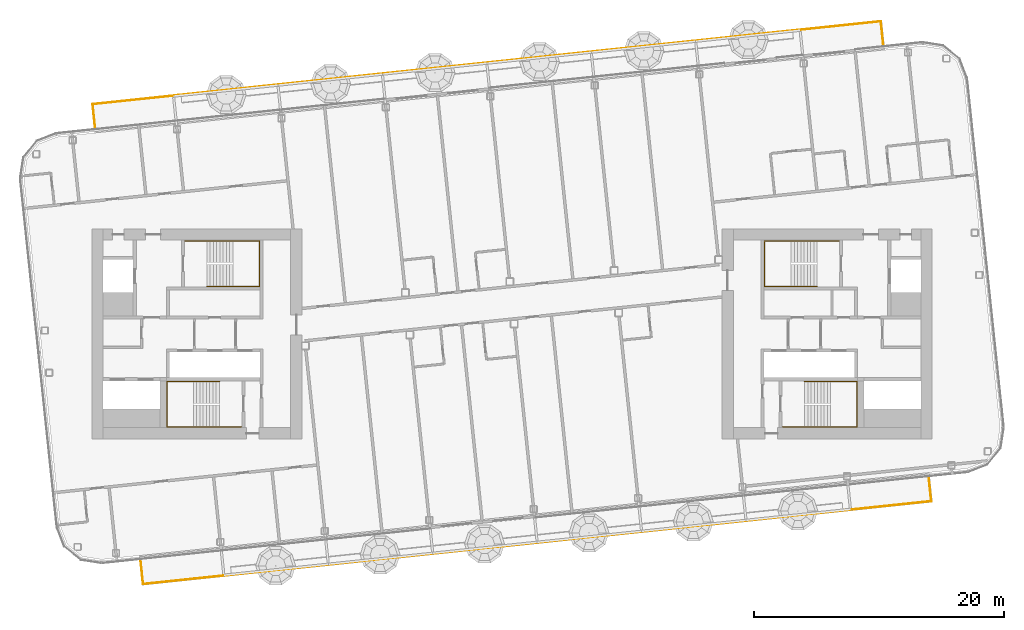
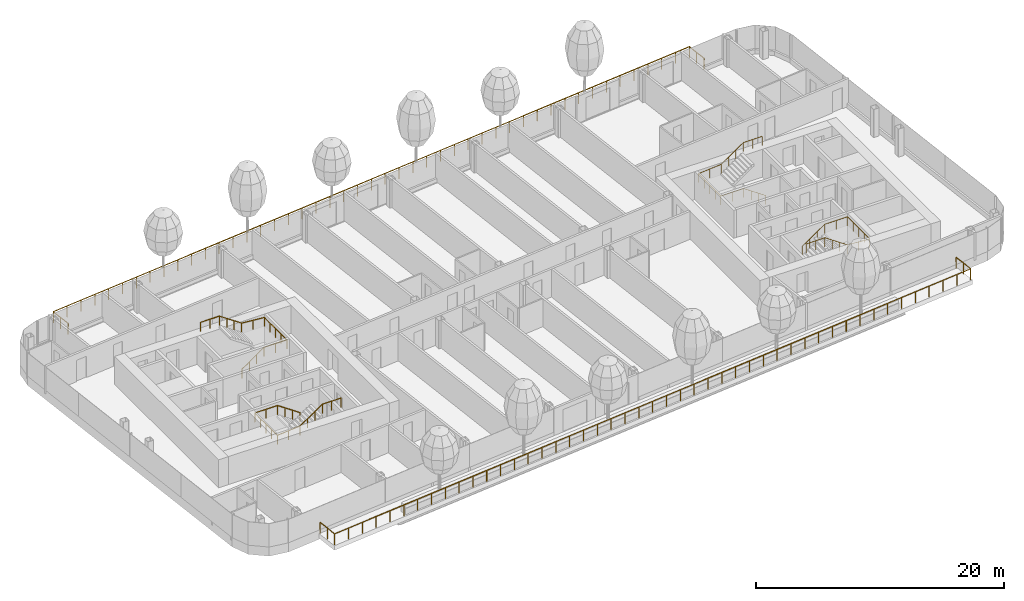
# One storey, part 25 of 29: 6 railings.
"""IFC4 building model written with IfcOpenShell, lengths in metres."""

from ifc_helpers import new_model, si_unit, direction, frame, origin, origin_2d, place, context, subcontext, project, spatial, circle, extrude, material, type_object, element, save


model = new_model("IFC4")

# Units and contexts
model_context = context("Model", 3, precision=1e-05, world=origin(), true_north=direction((0.0, 1.0)))
body_context = subcontext(model_context, "Body", "Model", "MODEL_VIEW")
ifc_project = project(units=[si_unit("LENGTHUNIT", "METRE"), si_unit("AREAUNIT", "SQUARE_METRE"), si_unit("VOLUMEUNIT", "CUBIC_METRE"), si_unit("PLANEANGLEUNIT", "RADIAN"), si_unit("MASSUNIT", "GRAM", prefix="KILO")], contexts=[model_context])

# Site, building, storey
site_placement = place(None, origin())
site = spatial("IfcSite", under=ifc_project, at=site_placement, CompositionType="ELEMENT")
building_placement = place(site_placement, origin())
building = spatial("IfcBuilding", under=site, at=building_placement, Name="Hakoniwa Tower and Hamabe Station Hall", CompositionType="ELEMENT")
storey_placement = place(building_placement, frame((0.0, 0.0, 258.199951171875)))
storey = spatial("IfcBuildingStorey", under=building, at=storey_placement, Name="L73", CompositionType="ELEMENT", Elevation=258.199951171875)

# Railings
ifc_material_1 = material(Name="Stainless steel and laminated glass", Category="steel")
railing_type_1 = type_object("IfcRailingType", Name="BALCONY BALUSTRADE 1100", PredefinedType="BALUSTRADE", material=ifc_material_1)
railing_1_placement = place(storey_placement, frame((-33.334716796875, 16.3916015625, 0.0)))
element("IfcRailing", 1, at=railing_1_placement, inside=storey, type_object=railing_type_1, Name="Balcony balustrade", PredefinedType="BALUSTRADE", context=body_context, shape_type="SweptSolid", body=[
    extrude(circle(Radius=0.02392578125, at=origin_2d()), frame((0.0, 0.0, 1.076171875), z_axis=(-0.104494148666, 0.99452550138, 0.0), x_axis=(-0.99452550138, -0.104494148666, 0.0)), (0.0, 0.0, 1.0), 2.0),
    extrude(circle(Radius=0.02392578125, at=origin_2d()), frame((-0.208984375, 1.989013671875, 1.076171875), z_axis=(0.994521751342, 0.104529833582, 0.0), x_axis=(-0.104529833582, 0.994521751342, 0.0)), (0.0, 0.0, 1.0), 63.400146484375),
    extrude(circle(Radius=0.02392578125, at=origin_2d()), frame((62.84375, 8.6162109375, 1.076171875), z_axis=(0.104494148666, -0.99452550138, 0.0), x_axis=(0.99452550138, 0.104494148666, 0.0)), (0.0, 0.0, 1.0), 2.0),
    extrude(circle(Radius=0.02099609375, at=origin_2d()), origin(), (0.0, 0.0, 1.0), 1.052001953125),
    extrude(circle(Radius=0.02099609375, at=origin_2d()), frame((-0.1044921875, 0.99462890625, 0.0)), (0.0, 0.0, 1.0), 1.052001953125),
    extrude(circle(Radius=0.02099609375, at=origin_2d()), frame((-0.208984375, 1.989013671875, 0.0)), (0.0, 0.0, 1.0), 1.052001953125),
    extrude(circle(Radius=0.02099609375, at=origin_2d()), frame((1.16162109375, 2.133056640625, 0.0)), (0.0, 0.0, 1.0), 1.052001953125),
    extrude(circle(Radius=0.02099609375, at=origin_2d()), frame((2.532470703125, 2.277099609375, 0.0)), (0.0, 0.0, 1.0), 1.052001953125),
    extrude(circle(Radius=0.02099609375, at=origin_2d()), frame((3.903076171875, 2.421142578125, 0.0)), (0.0, 0.0, 1.0), 1.052001953125),
    extrude(circle(Radius=0.02099609375, at=origin_2d()), frame((5.27392578125, 2.565185546875, 0.0)), (0.0, 0.0, 1.0), 1.052001953125),
    extrude(circle(Radius=0.02099609375, at=origin_2d()), frame((6.64453125, 2.70947265625, 0.0)), (0.0, 0.0, 1.0), 1.052001953125),
    extrude(circle(Radius=0.02099609375, at=origin_2d()), frame((8.015380859375, 2.853515625, 0.0)), (0.0, 0.0, 1.0), 1.052001953125),
    extrude(circle(Radius=0.02099609375, at=origin_2d()), frame((9.385986328125, 2.99755859375, 0.0)), (0.0, 0.0, 1.0), 1.052001953125),
    extrude(circle(Radius=0.02099609375, at=origin_2d()), frame((10.756591796875, 3.1416015625, 0.0)), (0.0, 0.0, 1.0), 1.052001953125),
    extrude(circle(Radius=0.02099609375, at=origin_2d()), frame((12.12744140625, 3.28564453125, 0.0)), (0.0, 0.0, 1.0), 1.052001953125),
    extrude(circle(Radius=0.02099609375, at=origin_2d()), frame((13.498046875, 3.4296875, 0.0)), (0.0, 0.0, 1.0), 1.052001953125),
    extrude(circle(Radius=0.02099609375, at=origin_2d()), frame((14.868896484375, 3.57373046875, 0.0)), (0.0, 0.0, 1.0), 1.052001953125),
    extrude(circle(Radius=0.02099609375, at=origin_2d()), frame((16.239501953125, 3.7177734375, 0.0)), (0.0, 0.0, 1.0), 1.052001953125),
    extrude(circle(Radius=0.02099609375, at=origin_2d()), frame((17.6103515625, 3.86181640625, 0.0)), (0.0, 0.0, 1.0), 1.052001953125),
    extrude(circle(Radius=0.02099609375, at=origin_2d()), frame((18.98095703125, 4.006103515625, 0.0)), (0.0, 0.0, 1.0), 1.052001953125),
    extrude(circle(Radius=0.02099609375, at=origin_2d()), frame((20.351806640625, 4.150146484375, 0.0)), (0.0, 0.0, 1.0), 1.052001953125),
    extrude(circle(Radius=0.02099609375, at=origin_2d()), frame((21.722412109375, 4.294189453125, 0.0)), (0.0, 0.0, 1.0), 1.052001953125),
    extrude(circle(Radius=0.02099609375, at=origin_2d()), frame((23.093017578125, 4.438232421875, 0.0)), (0.0, 0.0, 1.0), 1.052001953125),
    extrude(circle(Radius=0.02099609375, at=origin_2d()), frame((24.4638671875, 4.582275390625, 0.0)), (0.0, 0.0, 1.0), 1.052001953125),
    extrude(circle(Radius=0.02099609375, at=origin_2d()), frame((25.83447265625, 4.726318359375, 0.0)), (0.0, 0.0, 1.0), 1.052001953125),
    extrude(circle(Radius=0.02099609375, at=origin_2d()), frame((27.205322265625, 4.870361328125, 0.0)), (0.0, 0.0, 1.0), 1.052001953125),
    extrude(circle(Radius=0.02099609375, at=origin_2d()), frame((28.575927734375, 5.014404296875, 0.0)), (0.0, 0.0, 1.0), 1.052001953125),
    extrude(circle(Radius=0.02099609375, at=origin_2d()), frame((29.94677734375, 5.158447265625, 0.0)), (0.0, 0.0, 1.0), 1.052001953125),
    extrude(circle(Radius=0.02099609375, at=origin_2d()), frame((31.3173828125, 5.302734375, 0.0)), (0.0, 0.0, 1.0), 1.052001953125),
    extrude(circle(Radius=0.02099609375, at=origin_2d()), frame((32.68798828125, 5.44677734375, 0.0)), (0.0, 0.0, 1.0), 1.052001953125),
    extrude(circle(Radius=0.02099609375, at=origin_2d()), frame((34.058837890625, 5.5908203125, 0.0)), (0.0, 0.0, 1.0), 1.052001953125),
    extrude(circle(Radius=0.02099609375, at=origin_2d()), frame((35.429443359375, 5.73486328125, 0.0)), (0.0, 0.0, 1.0), 1.052001953125),
    extrude(circle(Radius=0.02099609375, at=origin_2d()), frame((36.80029296875, 5.87890625, 0.0)), (0.0, 0.0, 1.0), 1.052001953125),
    extrude(circle(Radius=0.02099609375, at=origin_2d()), frame((38.1708984375, 6.02294921875, 0.0)), (0.0, 0.0, 1.0), 1.052001953125),
    extrude(circle(Radius=0.02099609375, at=origin_2d()), frame((39.541748046875, 6.1669921875, 0.0)), (0.0, 0.0, 1.0), 1.052001953125),
    extrude(circle(Radius=0.02099609375, at=origin_2d()), frame((40.912353515625, 6.31103515625, 0.0)), (0.0, 0.0, 1.0), 1.052001953125),
    extrude(circle(Radius=0.02099609375, at=origin_2d()), frame((42.282958984375, 6.455078125, 0.0)), (0.0, 0.0, 1.0), 1.052001953125),
    extrude(circle(Radius=0.02099609375, at=origin_2d()), frame((43.65380859375, 6.59912109375, 0.0)), (0.0, 0.0, 1.0), 1.052001953125),
    extrude(circle(Radius=0.02099609375, at=origin_2d()), frame((45.0244140625, 6.743408203125, 0.0)), (0.0, 0.0, 1.0), 1.052001953125),
    extrude(circle(Radius=0.02099609375, at=origin_2d()), frame((46.395263671875, 6.887451171875, 0.0)), (0.0, 0.0, 1.0), 1.052001953125),
    extrude(circle(Radius=0.02099609375, at=origin_2d()), frame((47.765869140625, 7.031494140625, 0.0)), (0.0, 0.0, 1.0), 1.052001953125),
    extrude(circle(Radius=0.02099609375, at=origin_2d()), frame((49.13671875, 7.175537109375, 0.0)), (0.0, 0.0, 1.0), 1.052001953125),
    extrude(circle(Radius=0.02099609375, at=origin_2d()), frame((50.50732421875, 7.319580078125, 0.0)), (0.0, 0.0, 1.0), 1.052001953125),
    extrude(circle(Radius=0.02099609375, at=origin_2d()), frame((51.878173828125, 7.463623046875, 0.0)), (0.0, 0.0, 1.0), 1.052001953125),
    extrude(circle(Radius=0.02099609375, at=origin_2d()), frame((53.248779296875, 7.607666015625, 0.0)), (0.0, 0.0, 1.0), 1.052001953125),
    extrude(circle(Radius=0.02099609375, at=origin_2d()), frame((54.619384765625, 7.751708984375, 0.0)), (0.0, 0.0, 1.0), 1.052001953125),
    extrude(circle(Radius=0.02099609375, at=origin_2d()), frame((55.990234375, 7.895751953125, 0.0)), (0.0, 0.0, 1.0), 1.052001953125),
    extrude(circle(Radius=0.02099609375, at=origin_2d()), frame((57.36083984375, 8.0400390625, 0.0)), (0.0, 0.0, 1.0), 1.052001953125),
    extrude(circle(Radius=0.02099609375, at=origin_2d()), frame((58.731689453125, 8.18408203125, 0.0)), (0.0, 0.0, 1.0), 1.052001953125),
    extrude(circle(Radius=0.02099609375, at=origin_2d()), frame((60.102294921875, 8.328125, 0.0)), (0.0, 0.0, 1.0), 1.052001953125),
    extrude(circle(Radius=0.02099609375, at=origin_2d()), frame((61.47314453125, 8.47216796875, 0.0)), (0.0, 0.0, 1.0), 1.052001953125),
    extrude(circle(Radius=0.02099609375, at=origin_2d()), frame((62.84375, 8.6162109375, 0.0)), (0.0, 0.0, 1.0), 1.052001953125),
    extrude(circle(Radius=0.02099609375, at=origin_2d()), frame((62.9482421875, 7.62158203125, 0.0)), (0.0, 0.0, 1.0), 1.052001953125),
    extrude(circle(Radius=0.02099609375, at=origin_2d()), frame((63.052734375, 6.627197265625, 0.0)), (0.0, 0.0, 1.0), 1.052001953125),
])
railing_2_placement = place(storey_placement, frame((-29.718017578125, -18.018798828125, 0.0)))
element("IfcRailing", 2, at=railing_2_placement, inside=storey, type_object=railing_type_1, Name="Balcony balustrade", PredefinedType="BALUSTRADE", context=body_context, shape_type="SweptSolid", body=[
    extrude(circle(Radius=0.02392578125, at=origin_2d()), frame((0.0, 0.0, 1.076171875), z_axis=(0.104494148666, -0.99452550138, 0.0), x_axis=(0.99452550138, 0.104494148666, 0.0)), (0.0, 0.0, 1.0), 2.0),
    extrude(circle(Radius=0.02392578125, at=origin_2d()), frame((0.208984375, -1.989013671875, 1.076171875), z_axis=(0.994521751342, 0.104529833582, 0.0), x_axis=(-0.104529833582, 0.994521751342, 0.0)), (0.0, 0.0, 1.0), 63.400146484375),
    extrude(circle(Radius=0.02392578125, at=origin_2d()), frame((63.26171875, 4.63818359375, 1.076171875), z_axis=(-0.104494148666, 0.99452550138, 0.0), x_axis=(-0.99452550138, -0.104494148666, 0.0)), (0.0, 0.0, 1.0), 2.0),
    extrude(circle(Radius=0.02099609375, at=origin_2d()), origin(), (0.0, 0.0, 1.0), 1.052001953125),
    extrude(circle(Radius=0.02099609375, at=origin_2d()), frame((0.1044921875, -0.99462890625, 0.0)), (0.0, 0.0, 1.0), 1.052001953125),
    extrude(circle(Radius=0.02099609375, at=origin_2d()), frame((0.208984375, -1.989013671875, 0.0)), (0.0, 0.0, 1.0), 1.052001953125),
    extrude(circle(Radius=0.02099609375, at=origin_2d()), frame((1.57958984375, -1.844970703125, 0.0)), (0.0, 0.0, 1.0), 1.052001953125),
    extrude(circle(Radius=0.02099609375, at=origin_2d()), frame((2.950439453125, -1.700927734375, 0.0)), (0.0, 0.0, 1.0), 1.052001953125),
    extrude(circle(Radius=0.02099609375, at=origin_2d()), frame((4.321044921875, -1.556884765625, 0.0)), (0.0, 0.0, 1.0), 1.052001953125),
    extrude(circle(Radius=0.02099609375, at=origin_2d()), frame((5.69189453125, -1.412841796875, 0.0)), (0.0, 0.0, 1.0), 1.052001953125),
    extrude(circle(Radius=0.02099609375, at=origin_2d()), frame((7.0625, -1.2685546875, 0.0)), (0.0, 0.0, 1.0), 1.052001953125),
    extrude(circle(Radius=0.02099609375, at=origin_2d()), frame((8.433349609375, -1.12451171875, 0.0)), (0.0, 0.0, 1.0), 1.052001953125),
    extrude(circle(Radius=0.02099609375, at=origin_2d()), frame((9.803955078125, -0.98046875, 0.0)), (0.0, 0.0, 1.0), 1.052001953125),
    extrude(circle(Radius=0.02099609375, at=origin_2d()), frame((11.174560546875, -0.83642578125, 0.0)), (0.0, 0.0, 1.0), 1.052001953125),
    extrude(circle(Radius=0.02099609375, at=origin_2d()), frame((12.54541015625, -0.6923828125, 0.0)), (0.0, 0.0, 1.0), 1.052001953125),
    extrude(circle(Radius=0.02099609375, at=origin_2d()), frame((13.916015625, -0.54833984375, 0.0)), (0.0, 0.0, 1.0), 1.052001953125),
    extrude(circle(Radius=0.02099609375, at=origin_2d()), frame((15.286865234375, -0.404296875, 0.0)), (0.0, 0.0, 1.0), 1.052001953125),
    extrude(circle(Radius=0.02099609375, at=origin_2d()), frame((16.657470703125, -0.26025390625, 0.0)), (0.0, 0.0, 1.0), 1.052001953125),
    extrude(circle(Radius=0.02099609375, at=origin_2d()), frame((18.0283203125, -0.1162109375, 0.0)), (0.0, 0.0, 1.0), 1.052001953125),
    extrude(circle(Radius=0.02099609375, at=origin_2d()), frame((19.39892578125, 0.028076171875, 0.0)), (0.0, 0.0, 1.0), 1.052001953125),
    extrude(circle(Radius=0.02099609375, at=origin_2d()), frame((20.769775390625, 0.172119140625, 0.0)), (0.0, 0.0, 1.0), 1.052001953125),
    extrude(circle(Radius=0.02099609375, at=origin_2d()), frame((22.140380859375, 0.316162109375, 0.0)), (0.0, 0.0, 1.0), 1.052001953125),
    extrude(circle(Radius=0.02099609375, at=origin_2d()), frame((23.510986328125, 0.460205078125, 0.0)), (0.0, 0.0, 1.0), 1.052001953125),
    extrude(circle(Radius=0.02099609375, at=origin_2d()), frame((24.8818359375, 0.604248046875, 0.0)), (0.0, 0.0, 1.0), 1.052001953125),
    extrude(circle(Radius=0.02099609375, at=origin_2d()), frame((26.25244140625, 0.748291015625, 0.0)), (0.0, 0.0, 1.0), 1.052001953125),
    extrude(circle(Radius=0.02099609375, at=origin_2d()), frame((27.623291015625, 0.892333984375, 0.0)), (0.0, 0.0, 1.0), 1.052001953125),
    extrude(circle(Radius=0.02099609375, at=origin_2d()), frame((28.993896484375, 1.036376953125, 0.0)), (0.0, 0.0, 1.0), 1.052001953125),
    extrude(circle(Radius=0.02099609375, at=origin_2d()), frame((30.36474609375, 1.180419921875, 0.0)), (0.0, 0.0, 1.0), 1.052001953125),
    extrude(circle(Radius=0.02099609375, at=origin_2d()), frame((31.7353515625, 1.32470703125, 0.0)), (0.0, 0.0, 1.0), 1.052001953125),
    extrude(circle(Radius=0.02099609375, at=origin_2d()), frame((33.10595703125, 1.46875, 0.0)), (0.0, 0.0, 1.0), 1.052001953125),
    extrude(circle(Radius=0.02099609375, at=origin_2d()), frame((34.476806640625, 1.61279296875, 0.0)), (0.0, 0.0, 1.0), 1.052001953125),
    extrude(circle(Radius=0.02099609375, at=origin_2d()), frame((35.847412109375, 1.7568359375, 0.0)), (0.0, 0.0, 1.0), 1.052001953125),
    extrude(circle(Radius=0.02099609375, at=origin_2d()), frame((37.21826171875, 1.90087890625, 0.0)), (0.0, 0.0, 1.0), 1.052001953125),
    extrude(circle(Radius=0.02099609375, at=origin_2d()), frame((38.5888671875, 2.044921875, 0.0)), (0.0, 0.0, 1.0), 1.052001953125),
    extrude(circle(Radius=0.02099609375, at=origin_2d()), frame((39.959716796875, 2.18896484375, 0.0)), (0.0, 0.0, 1.0), 1.052001953125),
    extrude(circle(Radius=0.02099609375, at=origin_2d()), frame((41.330322265625, 2.3330078125, 0.0)), (0.0, 0.0, 1.0), 1.052001953125),
    extrude(circle(Radius=0.02099609375, at=origin_2d()), frame((42.700927734375, 2.47705078125, 0.0)), (0.0, 0.0, 1.0), 1.052001953125),
    extrude(circle(Radius=0.02099609375, at=origin_2d()), frame((44.07177734375, 2.62109375, 0.0)), (0.0, 0.0, 1.0), 1.052001953125),
    extrude(circle(Radius=0.02099609375, at=origin_2d()), frame((45.4423828125, 2.765380859375, 0.0)), (0.0, 0.0, 1.0), 1.052001953125),
    extrude(circle(Radius=0.02099609375, at=origin_2d()), frame((46.813232421875, 2.909423828125, 0.0)), (0.0, 0.0, 1.0), 1.052001953125),
    extrude(circle(Radius=0.02099609375, at=origin_2d()), frame((48.183837890625, 3.053466796875, 0.0)), (0.0, 0.0, 1.0), 1.052001953125),
    extrude(circle(Radius=0.02099609375, at=origin_2d()), frame((49.5546875, 3.197509765625, 0.0)), (0.0, 0.0, 1.0), 1.052001953125),
    extrude(circle(Radius=0.02099609375, at=origin_2d()), frame((50.92529296875, 3.341552734375, 0.0)), (0.0, 0.0, 1.0), 1.052001953125),
    extrude(circle(Radius=0.02099609375, at=origin_2d()), frame((52.296142578125, 3.485595703125, 0.0)), (0.0, 0.0, 1.0), 1.052001953125),
    extrude(circle(Radius=0.02099609375, at=origin_2d()), frame((53.666748046875, 3.629638671875, 0.0)), (0.0, 0.0, 1.0), 1.052001953125),
    extrude(circle(Radius=0.02099609375, at=origin_2d()), frame((55.037353515625, 3.773681640625, 0.0)), (0.0, 0.0, 1.0), 1.052001953125),
    extrude(circle(Radius=0.02099609375, at=origin_2d()), frame((56.408203125, 3.917724609375, 0.0)), (0.0, 0.0, 1.0), 1.052001953125),
    extrude(circle(Radius=0.02099609375, at=origin_2d()), frame((57.77880859375, 4.06201171875, 0.0)), (0.0, 0.0, 1.0), 1.052001953125),
    extrude(circle(Radius=0.02099609375, at=origin_2d()), frame((59.149658203125, 4.2060546875, 0.0)), (0.0, 0.0, 1.0), 1.052001953125),
    extrude(circle(Radius=0.02099609375, at=origin_2d()), frame((60.520263671875, 4.35009765625, 0.0)), (0.0, 0.0, 1.0), 1.052001953125),
    extrude(circle(Radius=0.02099609375, at=origin_2d()), frame((61.89111328125, 4.494140625, 0.0)), (0.0, 0.0, 1.0), 1.052001953125),
    extrude(circle(Radius=0.02099609375, at=origin_2d()), frame((63.26171875, 4.63818359375, 0.0)), (0.0, 0.0, 1.0), 1.052001953125),
    extrude(circle(Radius=0.02099609375, at=origin_2d()), frame((63.1572265625, 5.6328125, 0.0)), (0.0, 0.0, 1.0), 1.052001953125),
    extrude(circle(Radius=0.02099609375, at=origin_2d()), frame((63.052734375, 6.627197265625, 0.0)), (0.0, 0.0, 1.0), 1.052001953125),
])
ifc_material_2 = material(Name="Stainless steel SUS304", Category="steel")
railing_type_2 = type_object("IfcRailingType", Name="STAIR HANDRAIL 900", PredefinedType="HANDRAIL", material=ifc_material_2)
railing_3_placement = place(storey_placement, frame((-24.39990234375, 3.81005859375, 0.177734375)))
element("IfcRailing", 3, at=railing_3_placement, inside=storey, type_object=railing_type_2, Name="Handrail ST-1 L73 1", PredefinedType="HANDRAIL", context=body_context, shape_type="SweptSolid", body=[
    extrude(circle(Radius=0.02392578125, at=origin_2d()), frame((0.0, 0.0, 0.8759765625), z_axis=(0.825433201882, 0.0, 0.564499804456), x_axis=(0.0, 1.0, 0.0)), (0.0, 0.0, 1.0), 2.519775390625),
    extrude(circle(Radius=0.02392578125, at=origin_2d()), frame((2.079833984375, 0.0, 2.29833984375), z_axis=(1.0, 0.0, 0.0), x_axis=(0.0, 1.0, 0.0)), (0.0, 0.0, 1.0), 2.110107421875),
    extrude(circle(Radius=0.02392578125, at=origin_2d()), frame((4.18994140625, 0.0, 2.29833984375), z_axis=(0.0, 1.0, 0.0), x_axis=(-1.0, 0.0, 0.0)), (0.0, 0.0, 1.0), 3.6298828125),
    extrude(circle(Radius=0.02392578125, at=origin_2d()), frame((4.18994140625, 3.6298828125, 2.29833984375), z_axis=(-0.996471417081, 0.0, 0.083932800143), x_axis=(0.0, -1.0, 0.0)), (0.0, 0.0, 1.0), 2.11767578125),
    extrude(circle(Radius=0.02392578125, at=origin_2d()), frame((2.079833984375, 3.6298828125, 2.47607421875), z_axis=(-0.825478349766, 0.0, 0.564433781827), x_axis=(0.0, -1.0, 0.0)), (0.0, 0.0, 1.0), 2.51953125),
    extrude(circle(Radius=0.02392578125, at=origin_2d()), frame((0.0, 3.6298828125, 3.89794921875), z_axis=(-1.0, 0.0, 0.0), x_axis=(0.0, -1.0, 0.0)), (0.0, 0.0, 1.0), 1.739990234375),
    extrude(circle(Radius=0.02099609375, at=origin_2d()), origin(), (0.0, 0.0, 1.0), 0.851806640625),
    extrude(circle(Radius=0.02099609375, at=origin_2d()), frame((0.693359375, 0.0, 0.47412109375)), (0.0, 0.0, 1.0), 0.851806640625),
    extrude(circle(Radius=0.02099609375, at=origin_2d()), frame((1.386474609375, 0.0, 0.9482421875)), (0.0, 0.0, 1.0), 0.851806640625),
    extrude(circle(Radius=0.02099609375, at=origin_2d()), frame((2.079833984375, 0.0, 1.42236328125)), (0.0, 0.0, 1.0), 0.851806640625),
    extrude(circle(Radius=0.02099609375, at=origin_2d()), frame((3.134765625, 0.0, 1.42236328125)), (0.0, 0.0, 1.0), 0.851806640625),
    extrude(circle(Radius=0.02099609375, at=origin_2d()), frame((4.18994140625, 0.0, 1.42236328125)), (0.0, 0.0, 1.0), 0.851806640625),
    extrude(circle(Radius=0.02099609375, at=origin_2d()), frame((4.18994140625, 0.907470703125, 1.42236328125)), (0.0, 0.0, 1.0), 0.851806640625),
    extrude(circle(Radius=0.02099609375, at=origin_2d()), frame((4.18994140625, 1.81494140625, 1.42236328125)), (0.0, 0.0, 1.0), 0.851806640625),
    extrude(circle(Radius=0.02099609375, at=origin_2d()), frame((4.18994140625, 2.722412109375, 1.42236328125)), (0.0, 0.0, 1.0), 0.851806640625),
    extrude(circle(Radius=0.02099609375, at=origin_2d()), frame((4.18994140625, 3.6298828125, 1.42236328125)), (0.0, 0.0, 1.0), 0.851806640625),
    extrude(circle(Radius=0.02099609375, at=origin_2d()), frame((3.134765625, 3.6298828125, 1.51123046875)), (0.0, 0.0, 1.0), 0.851806640625),
    extrude(circle(Radius=0.02099609375, at=origin_2d()), frame((2.079833984375, 3.6298828125, 1.60009765625)), (0.0, 0.0, 1.0), 0.851806640625),
    extrude(circle(Radius=0.02099609375, at=origin_2d()), frame((1.386474609375, 3.6298828125, 2.07421875)), (0.0, 0.0, 1.0), 0.851806640625),
    extrude(circle(Radius=0.02099609375, at=origin_2d()), frame((0.693359375, 3.6298828125, 2.548095703125)), (0.0, 0.0, 1.0), 0.851806640625),
    extrude(circle(Radius=0.02099609375, at=origin_2d()), frame((0.0, 3.6298828125, 3.022216796875)), (0.0, 0.0, 1.0), 0.851806640625),
    extrude(circle(Radius=0.02099609375, at=origin_2d()), frame((-0.8701171875, 3.6298828125, 3.022216796875)), (0.0, 0.0, 1.0), 0.851806640625),
    extrude(circle(Radius=0.02099609375, at=origin_2d()), frame((-1.739990234375, 3.6298828125, 3.022216796875)), (0.0, 0.0, 1.0), 0.851806640625),
])
railing_4_placement = place(storey_placement, frame((-23.39990234375, -3.81005859375, 0.177734375)))
element("IfcRailing", 4, at=railing_4_placement, inside=storey, type_object=railing_type_2, Name="Handrail ST-2 L73 1", PredefinedType="HANDRAIL", context=body_context, shape_type="SweptSolid", body=[
    extrude(circle(Radius=0.02392578125, at=origin_2d()), frame((0.0, 0.0, 0.8759765625), z_axis=(-0.825464074169, 0.0, 0.564454659168), x_axis=(0.0, -1.0, 0.0)), (0.0, 0.0, 1.0), 2.519775390625),
    extrude(circle(Radius=0.02392578125, at=origin_2d()), frame((-2.080078125, 0.0, 2.29833984375), z_axis=(-1.0, 0.0, 0.0), x_axis=(0.0, -1.0, 0.0)), (0.0, 0.0, 1.0), 2.110107421875),
    extrude(circle(Radius=0.02392578125, at=origin_2d()), frame((-4.190185546875, 0.0, 2.29833984375), z_axis=(0.0, -1.0, 0.0), x_axis=(1.0, 0.0, 0.0)), (0.0, 0.0, 1.0), 3.6298828125),
    extrude(circle(Radius=0.02392578125, at=origin_2d()), frame((-4.190185546875, -3.6298828125, 2.29833984375), z_axis=(0.996471417081, 0.0, 0.083932800143), x_axis=(0.0, 1.0, 0.0)), (0.0, 0.0, 1.0), 2.11767578125),
    extrude(circle(Radius=0.02392578125, at=origin_2d()), frame((-2.080078125, -3.6298828125, 2.47607421875), z_axis=(0.82550921652, 0.0, 0.564388636881), x_axis=(0.0, 1.0, 0.0)), (0.0, 0.0, 1.0), 2.519775390625),
    extrude(circle(Radius=0.02392578125, at=origin_2d()), frame((0.0, -3.6298828125, 3.89794921875), z_axis=(1.0, 0.0, 0.0), x_axis=(0.0, 1.0, 0.0)), (0.0, 0.0, 1.0), 1.739990234375),
    extrude(circle(Radius=0.02099609375, at=origin_2d()), origin(), (0.0, 0.0, 1.0), 0.851806640625),
    extrude(circle(Radius=0.02099609375, at=origin_2d()), frame((-0.693359375, 0.0, 0.47412109375)), (0.0, 0.0, 1.0), 0.851806640625),
    extrude(circle(Radius=0.02099609375, at=origin_2d()), frame((-1.38671875, 0.0, 0.9482421875)), (0.0, 0.0, 1.0), 0.851806640625),
    extrude(circle(Radius=0.02099609375, at=origin_2d()), frame((-2.080078125, 0.0, 1.42236328125)), (0.0, 0.0, 1.0), 0.851806640625),
    extrude(circle(Radius=0.02099609375, at=origin_2d()), frame((-3.13525390625, 0.0, 1.42236328125)), (0.0, 0.0, 1.0), 0.851806640625),
    extrude(circle(Radius=0.02099609375, at=origin_2d()), frame((-4.190185546875, 0.0, 1.42236328125)), (0.0, 0.0, 1.0), 0.851806640625),
    extrude(circle(Radius=0.02099609375, at=origin_2d()), frame((-4.190185546875, -0.907470703125, 1.42236328125)), (0.0, 0.0, 1.0), 0.851806640625),
    extrude(circle(Radius=0.02099609375, at=origin_2d()), frame((-4.190185546875, -1.81494140625, 1.42236328125)), (0.0, 0.0, 1.0), 0.851806640625),
    extrude(circle(Radius=0.02099609375, at=origin_2d()), frame((-4.190185546875, -2.722412109375, 1.42236328125)), (0.0, 0.0, 1.0), 0.851806640625),
    extrude(circle(Radius=0.02099609375, at=origin_2d()), frame((-4.190185546875, -3.6298828125, 1.42236328125)), (0.0, 0.0, 1.0), 0.851806640625),
    extrude(circle(Radius=0.02099609375, at=origin_2d()), frame((-3.13525390625, -3.6298828125, 1.51123046875)), (0.0, 0.0, 1.0), 0.851806640625),
    extrude(circle(Radius=0.02099609375, at=origin_2d()), frame((-2.080078125, -3.6298828125, 1.60009765625)), (0.0, 0.0, 1.0), 0.851806640625),
    extrude(circle(Radius=0.02099609375, at=origin_2d()), frame((-1.38671875, -3.6298828125, 2.07421875)), (0.0, 0.0, 1.0), 0.851806640625),
    extrude(circle(Radius=0.02099609375, at=origin_2d()), frame((-0.693359375, -3.6298828125, 2.548095703125)), (0.0, 0.0, 1.0), 0.851806640625),
    extrude(circle(Radius=0.02099609375, at=origin_2d()), frame((0.0, -3.6298828125, 3.022216796875)), (0.0, 0.0, 1.0), 0.851806640625),
    extrude(circle(Radius=0.02099609375, at=origin_2d()), frame((0.8701171875, -3.6298828125, 3.022216796875)), (0.0, 0.0, 1.0), 0.851806640625),
    extrude(circle(Radius=0.02099609375, at=origin_2d()), frame((1.739990234375, -3.6298828125, 3.022216796875)), (0.0, 0.0, 1.0), 0.851806640625),
])
railing_5_placement = place(storey_placement, frame((24.39990234375, 3.81005859375, 0.177734375)))
element("IfcRailing", 5, at=railing_5_placement, inside=storey, type_object=railing_type_2, Name="Handrail ST-3 L73 1", PredefinedType="HANDRAIL", context=body_context, shape_type="SweptSolid", body=[
    extrude(circle(Radius=0.02392578125, at=origin_2d()), frame((0.0, 0.0, 0.8759765625), z_axis=(-0.825433201882, 0.0, 0.564499804456), x_axis=(0.0, -1.0, 0.0)), (0.0, 0.0, 1.0), 2.519775390625),
    extrude(circle(Radius=0.02392578125, at=origin_2d()), frame((-2.079833984375, 0.0, 2.29833984375), z_axis=(-1.0, 0.0, 0.0), x_axis=(0.0, -1.0, 0.0)), (0.0, 0.0, 1.0), 2.110107421875),
    extrude(circle(Radius=0.02392578125, at=origin_2d()), frame((-4.18994140625, 0.0, 2.29833984375), z_axis=(0.0, 1.0, 0.0), x_axis=(-1.0, 0.0, 0.0)), (0.0, 0.0, 1.0), 3.6298828125),
    extrude(circle(Radius=0.02392578125, at=origin_2d()), frame((-4.18994140625, 3.6298828125, 2.29833984375), z_axis=(0.996471417081, 0.0, 0.083932800143), x_axis=(0.0, 1.0, 0.0)), (0.0, 0.0, 1.0), 2.11767578125),
    extrude(circle(Radius=0.02392578125, at=origin_2d()), frame((-2.079833984375, 3.6298828125, 2.47607421875), z_axis=(0.825478349766, 0.0, 0.564433781827), x_axis=(0.0, 1.0, 0.0)), (0.0, 0.0, 1.0), 2.51953125),
    extrude(circle(Radius=0.02392578125, at=origin_2d()), frame((0.0, 3.6298828125, 3.89794921875), z_axis=(1.0, 0.0, 0.0), x_axis=(0.0, 1.0, 0.0)), (0.0, 0.0, 1.0), 1.739990234375),
    extrude(circle(Radius=0.02099609375, at=origin_2d()), origin(), (0.0, 0.0, 1.0), 0.851806640625),
    extrude(circle(Radius=0.02099609375, at=origin_2d()), frame((-0.693359375, 0.0, 0.47412109375)), (0.0, 0.0, 1.0), 0.851806640625),
    extrude(circle(Radius=0.02099609375, at=origin_2d()), frame((-1.386474609375, 0.0, 0.9482421875)), (0.0, 0.0, 1.0), 0.851806640625),
    extrude(circle(Radius=0.02099609375, at=origin_2d()), frame((-2.079833984375, 0.0, 1.42236328125)), (0.0, 0.0, 1.0), 0.851806640625),
    extrude(circle(Radius=0.02099609375, at=origin_2d()), frame((-3.134765625, 0.0, 1.42236328125)), (0.0, 0.0, 1.0), 0.851806640625),
    extrude(circle(Radius=0.02099609375, at=origin_2d()), frame((-4.18994140625, 0.0, 1.42236328125)), (0.0, 0.0, 1.0), 0.851806640625),
    extrude(circle(Radius=0.02099609375, at=origin_2d()), frame((-4.18994140625, 0.907470703125, 1.42236328125)), (0.0, 0.0, 1.0), 0.851806640625),
    extrude(circle(Radius=0.02099609375, at=origin_2d()), frame((-4.18994140625, 1.81494140625, 1.42236328125)), (0.0, 0.0, 1.0), 0.851806640625),
    extrude(circle(Radius=0.02099609375, at=origin_2d()), frame((-4.18994140625, 2.722412109375, 1.42236328125)), (0.0, 0.0, 1.0), 0.851806640625),
    extrude(circle(Radius=0.02099609375, at=origin_2d()), frame((-4.18994140625, 3.6298828125, 1.42236328125)), (0.0, 0.0, 1.0), 0.851806640625),
    extrude(circle(Radius=0.02099609375, at=origin_2d()), frame((-3.134765625, 3.6298828125, 1.51123046875)), (0.0, 0.0, 1.0), 0.851806640625),
    extrude(circle(Radius=0.02099609375, at=origin_2d()), frame((-2.079833984375, 3.6298828125, 1.60009765625)), (0.0, 0.0, 1.0), 0.851806640625),
    extrude(circle(Radius=0.02099609375, at=origin_2d()), frame((-1.386474609375, 3.6298828125, 2.07421875)), (0.0, 0.0, 1.0), 0.851806640625),
    extrude(circle(Radius=0.02099609375, at=origin_2d()), frame((-0.693359375, 3.6298828125, 2.548095703125)), (0.0, 0.0, 1.0), 0.851806640625),
    extrude(circle(Radius=0.02099609375, at=origin_2d()), frame((0.0, 3.6298828125, 3.022216796875)), (0.0, 0.0, 1.0), 0.851806640625),
    extrude(circle(Radius=0.02099609375, at=origin_2d()), frame((0.8701171875, 3.6298828125, 3.022216796875)), (0.0, 0.0, 1.0), 0.851806640625),
    extrude(circle(Radius=0.02099609375, at=origin_2d()), frame((1.739990234375, 3.6298828125, 3.022216796875)), (0.0, 0.0, 1.0), 0.851806640625),
])
railing_6_placement = place(storey_placement, frame((23.39990234375, -3.81005859375, 0.177734375)))
element("IfcRailing", 6, at=railing_6_placement, inside=storey, type_object=railing_type_2, Name="Handrail ST-4 L73 1", PredefinedType="HANDRAIL", context=body_context, shape_type="SweptSolid", body=[
    extrude(circle(Radius=0.02392578125, at=origin_2d()), frame((0.0, 0.0, 0.8759765625), z_axis=(0.825464074169, 0.0, 0.564454659168), x_axis=(0.0, 1.0, 0.0)), (0.0, 0.0, 1.0), 2.519775390625),
    extrude(circle(Radius=0.02392578125, at=origin_2d()), frame((2.080078125, 0.0, 2.29833984375), z_axis=(1.0, 0.0, 0.0), x_axis=(0.0, 1.0, 0.0)), (0.0, 0.0, 1.0), 2.110107421875),
    extrude(circle(Radius=0.02392578125, at=origin_2d()), frame((4.190185546875, 0.0, 2.29833984375), z_axis=(0.0, -1.0, 0.0), x_axis=(1.0, 0.0, 0.0)), (0.0, 0.0, 1.0), 3.6298828125),
    extrude(circle(Radius=0.02392578125, at=origin_2d()), frame((4.190185546875, -3.6298828125, 2.29833984375), z_axis=(-0.996471417081, 0.0, 0.083932800143), x_axis=(0.0, -1.0, 0.0)), (0.0, 0.0, 1.0), 2.11767578125),
    extrude(circle(Radius=0.02392578125, at=origin_2d()), frame((2.080078125, -3.6298828125, 2.47607421875), z_axis=(-0.82550921652, 0.0, 0.564388636881), x_axis=(0.0, -1.0, 0.0)), (0.0, 0.0, 1.0), 2.519775390625),
    extrude(circle(Radius=0.02392578125, at=origin_2d()), frame((0.0, -3.6298828125, 3.89794921875), z_axis=(-1.0, 0.0, 0.0), x_axis=(0.0, -1.0, 0.0)), (0.0, 0.0, 1.0), 1.739990234375),
    extrude(circle(Radius=0.02099609375, at=origin_2d()), origin(), (0.0, 0.0, 1.0), 0.851806640625),
    extrude(circle(Radius=0.02099609375, at=origin_2d()), frame((0.693359375, 0.0, 0.47412109375)), (0.0, 0.0, 1.0), 0.851806640625),
    extrude(circle(Radius=0.02099609375, at=origin_2d()), frame((1.38671875, 0.0, 0.9482421875)), (0.0, 0.0, 1.0), 0.851806640625),
    extrude(circle(Radius=0.02099609375, at=origin_2d()), frame((2.080078125, 0.0, 1.42236328125)), (0.0, 0.0, 1.0), 0.851806640625),
    extrude(circle(Radius=0.02099609375, at=origin_2d()), frame((3.13525390625, 0.0, 1.42236328125)), (0.0, 0.0, 1.0), 0.851806640625),
    extrude(circle(Radius=0.02099609375, at=origin_2d()), frame((4.190185546875, 0.0, 1.42236328125)), (0.0, 0.0, 1.0), 0.851806640625),
    extrude(circle(Radius=0.02099609375, at=origin_2d()), frame((4.190185546875, -0.907470703125, 1.42236328125)), (0.0, 0.0, 1.0), 0.851806640625),
    extrude(circle(Radius=0.02099609375, at=origin_2d()), frame((4.190185546875, -1.81494140625, 1.42236328125)), (0.0, 0.0, 1.0), 0.851806640625),
    extrude(circle(Radius=0.02099609375, at=origin_2d()), frame((4.190185546875, -2.722412109375, 1.42236328125)), (0.0, 0.0, 1.0), 0.851806640625),
    extrude(circle(Radius=0.02099609375, at=origin_2d()), frame((4.190185546875, -3.6298828125, 1.42236328125)), (0.0, 0.0, 1.0), 0.851806640625),
    extrude(circle(Radius=0.02099609375, at=origin_2d()), frame((3.13525390625, -3.6298828125, 1.51123046875)), (0.0, 0.0, 1.0), 0.851806640625),
    extrude(circle(Radius=0.02099609375, at=origin_2d()), frame((2.080078125, -3.6298828125, 1.60009765625)), (0.0, 0.0, 1.0), 0.851806640625),
    extrude(circle(Radius=0.02099609375, at=origin_2d()), frame((1.38671875, -3.6298828125, 2.07421875)), (0.0, 0.0, 1.0), 0.851806640625),
    extrude(circle(Radius=0.02099609375, at=origin_2d()), frame((0.693359375, -3.6298828125, 2.548095703125)), (0.0, 0.0, 1.0), 0.851806640625),
    extrude(circle(Radius=0.02099609375, at=origin_2d()), frame((0.0, -3.6298828125, 3.022216796875)), (0.0, 0.0, 1.0), 0.851806640625),
    extrude(circle(Radius=0.02099609375, at=origin_2d()), frame((-0.8701171875, -3.6298828125, 3.022216796875)), (0.0, 0.0, 1.0), 0.851806640625),
    extrude(circle(Radius=0.02099609375, at=origin_2d()), frame((-1.739990234375, -3.6298828125, 3.022216796875)), (0.0, 0.0, 1.0), 0.851806640625),
])

save(model, "model.ifc")
